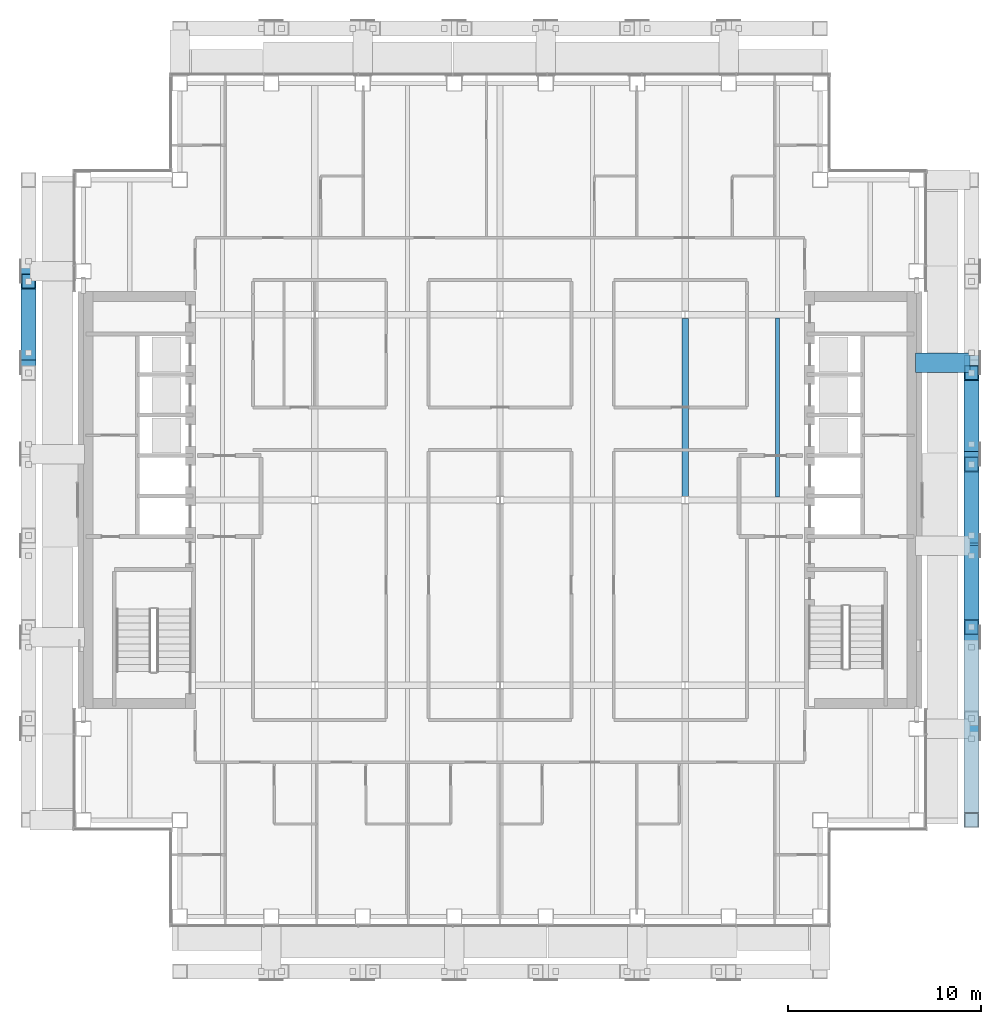
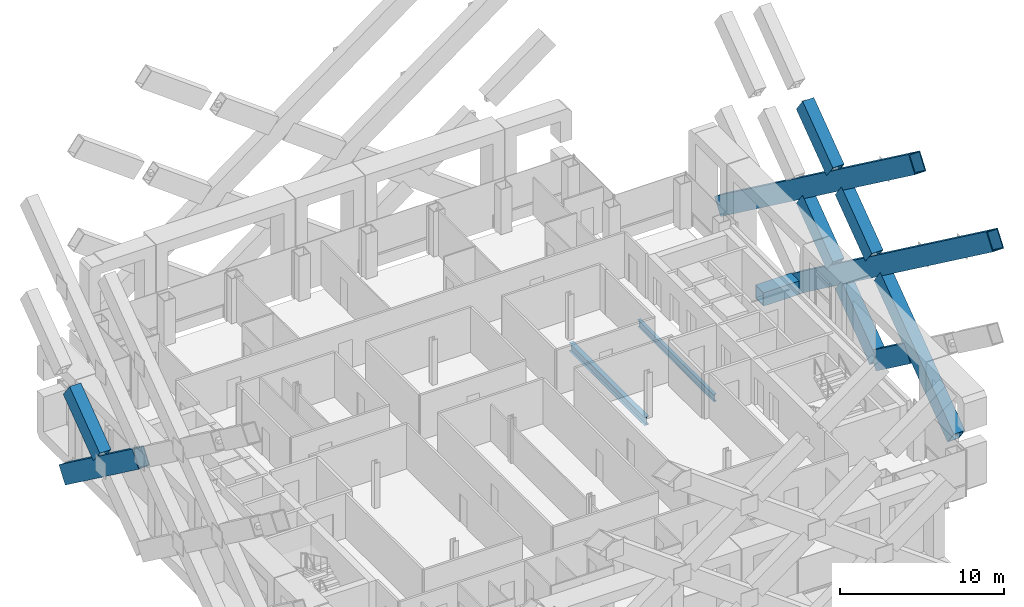
# One storey, part 7 of 25: 10 members, 3 beams.
"""IFC4 building model written with IfcOpenShell, lengths in metres."""

from ifc_helpers import new_model, si_unit, direction, frame, origin, origin_2d, place, context, subcontext, project, spatial, hollow_rectangle, i_section, extrude, material, material_profile, profile_set, type_object, element, save


model = new_model("IFC4")

# Units and contexts
model_context = context("Model", 3, precision=1e-05, world=origin(), true_north=direction((0.0, 1.0)))
body_context = subcontext(model_context, "Body", "Model", "MODEL_VIEW")
ifc_project = project(units=[si_unit("LENGTHUNIT", "METRE"), si_unit("AREAUNIT", "SQUARE_METRE"), si_unit("VOLUMEUNIT", "CUBIC_METRE"), si_unit("PLANEANGLEUNIT", "RADIAN"), si_unit("MASSUNIT", "GRAM", prefix="KILO")], contexts=[model_context])

# Site, building, storey
site_placement = place(None, origin())
site = spatial("IfcSite", under=ifc_project, at=site_placement, CompositionType="ELEMENT")
building_placement = place(site_placement, origin())
building = spatial("IfcBuilding", under=site, at=building_placement, Name="Cobrizo Arcos Hotel Tower", CompositionType="ELEMENT")
storey_placement = place(building_placement, frame((0.0, 0.0, 148.0)))
storey = spatial("IfcBuildingStorey", under=building, at=storey_placement, Name="L37", CompositionType="ELEMENT", Elevation=148.0)

# Beam
ifc_material_1 = material(Name="Steel ASTM A572 Grade 50", Category="steel")
ifc_material_profile_1 = material_profile(ifc_material_1, hollow_rectangle(XDim=1.0, YDim=1.0, WallThickness=0.06005859375, at=origin_2d()), Name="BOX 1000X1000X60")
ifc_profile_set_1 = profile_set([ifc_material_profile_1], Name="Steel ASTM A572 Grade 50")
beam_type_1 = type_object("IfcBeamType", Name="BOX 1000X1000X60 brace connector strut", PredefinedType="BEAM", material=ifc_profile_set_1)
beam_1_placement = place(storey_placement, frame((21.550048828125, 7.1142578125, 0.5), z_axis=(1.0, 0.0, 0.0), x_axis=(0.0, 1.0, 0.0)))
element("IfcBeam", 1, at=beam_1_placement, inside=storey, type_object=beam_type_1, Name="Perimeter brace stub BS1, zone Z3, east face, offset +7.11 m, L37", PredefinedType="BEAM", context=body_context, shape_type="SweptSolid", body=[
    extrude(hollow_rectangle(XDim=1.0, YDim=1.0, WallThickness=0.06005859375, at=origin_2d()), origin(), (0.0, 0.0, 1.0), 2.820068359375),
])

# Members
ifc_material_profile_2 = material_profile(ifc_material_1, hollow_rectangle(XDim=0.800048828125, YDim=1.300048828125, WallThickness=0.06005859375, at=origin_2d()), Name="BOX 800X1300X60")
ifc_profile_set_2 = profile_set([ifc_material_profile_2], Name="Steel ASTM A572 Grade 50")
member_type = type_object("IfcMemberType", Name="BOX 800X1300X60 perimeter brace", PredefinedType="BRACE", material=ifc_profile_set_2)
for number, where, z_axis, x_axis, name in (
    (2, (24.449951171875, 7.1142578125, 0.5), (0.0, -0.804630052623, 0.593776454918), (1.0, 0.0, 0.0), "Perimeter brace PBR3, zone Z3, east face, no. 03"),
    (3, (24.449951171875, 16.60009765625, 0.5), (0.0, -0.804630052623, 0.593776454918), (1.0, 0.0, 0.0), "Perimeter brace PBR3, zone Z3, east face, no. 05"),
):
    element("IfcMember", number, at=place(storey_placement, frame(where, z_axis=z_axis, x_axis=x_axis)), inside=storey, type_object=member_type, Name=name, PredefinedType="BRACE", context=body_context, shape_type="SweptSolid", body=[
        extrude(hollow_rectangle(XDim=0.800048828125, YDim=1.300048828125, WallThickness=0.06005859375, at=origin_2d()), origin(), (0.0, 0.0, 1.0), 29.472412109375),
    ])
member_1_placement = place(storey_placement, frame((24.449951171875, -11.857177734375, 0.5), z_axis=(0.0, 0.804628681962, 0.593778312305), x_axis=(-1.0, 0.0, 0.0)))
element("IfcMember", 4, at=member_1_placement, inside=storey, type_object=member_type, Name="Perimeter brace PBR3, zone Z3, east face, no. 00", PredefinedType="BRACE", context=body_context, shape_type="SweptSolid", body=[
    extrude(hollow_rectangle(XDim=0.800048828125, YDim=1.300048828125, WallThickness=0.06005859375, at=origin_2d()), origin(), (0.0, 0.0, 1.0), 11.138916015625),
])
member_2_placement = place(storey_placement, frame((24.449951171875, -1.84814453125, 7.885986328125), z_axis=(0.0, 0.804593425363, 0.593826085536), x_axis=(-1.0, 0.0, 0.0)))
element("IfcMember", 5, at=member_2_placement, inside=storey, type_object=member_type, Name="Perimeter brace PBR3, zone Z3, east face, no. 00b", PredefinedType="BRACE", context=body_context, shape_type="SweptSolid", body=[
    extrude(hollow_rectangle(XDim=0.800048828125, YDim=1.300048828125, WallThickness=0.06005859375, at=origin_2d()), origin(), (0.0, 0.0, 1.0), 4.593994140625),
])
member_3_placement = place(storey_placement, frame((24.449951171875, 2.89453125, 11.385986328125), z_axis=(0.0, 0.804612164142, 0.593800694943), x_axis=(-1.0, 0.0, 0.0)))
element("IfcMember", 6, at=member_3_placement, inside=storey, type_object=member_type, Name="Perimeter brace PBR3, zone Z3, east face, no. 00c", PredefinedType="BRACE", context=body_context, shape_type="SweptSolid", body=[
    extrude(hollow_rectangle(XDim=0.800048828125, YDim=1.300048828125, WallThickness=0.06005859375, at=origin_2d()), origin(), (0.0, 0.0, 1.0), 4.59423828125),
])
member_4_placement = place(storey_placement, frame((24.449951171875, -2.371337890625, 0.5), z_axis=(0.0, -0.804623858684, 0.593784848271), x_axis=(1.0, 0.0, 0.0)))
element("IfcMember", 7, at=member_4_placement, inside=storey, type_object=member_type, Name="Perimeter brace PBR3, zone Z3, east face, no. 01", PredefinedType="BRACE", context=body_context, shape_type="SweptSolid", body=[
    extrude(hollow_rectangle(XDim=0.800048828125, YDim=1.300048828125, WallThickness=0.06005859375, at=origin_2d()), origin(), (0.0, 0.0, 1.0), 5.244384765625),
])
member_5_placement = place(storey_placement, frame((24.449951171875, -2.371337890625, 0.5), z_axis=(0.0, 0.804607444048, 0.593807090715), x_axis=(-1.0, 0.0, 0.0)))
element("IfcMember", 8, at=member_5_placement, inside=storey, type_object=member_type, Name="Perimeter brace PBR3, zone Z3, east face, no. 02", PredefinedType="BRACE", context=body_context, shape_type="SweptSolid", body=[
    extrude(hollow_rectangle(XDim=0.800048828125, YDim=1.300048828125, WallThickness=0.06005859375, at=origin_2d()), origin(), (0.0, 0.0, 1.0), 5.244140625),
])
member_6_placement = place(storey_placement, frame((24.449951171875, 2.89453125, 4.385986328125), z_axis=(0.0, 0.804612164142, 0.593800694943), x_axis=(-1.0, 0.0, 0.0)))
element("IfcMember", 9, at=member_6_placement, inside=storey, type_object=member_type, Name="Perimeter brace PBR3, zone Z3, east face, no. 02b", PredefinedType="BRACE", context=body_context, shape_type="SweptSolid", body=[
    extrude(hollow_rectangle(XDim=0.800048828125, YDim=1.300048828125, WallThickness=0.06005859375, at=origin_2d()), origin(), (0.0, 0.0, 1.0), 4.59423828125),
])
member_7_placement = place(storey_placement, frame((-24.449951171875, 11.857177734375, 0.5), z_axis=(0.0, -0.804628681962, 0.593778312305), x_axis=(1.0, 0.0, 0.0)))
element("IfcMember", 10, at=member_7_placement, inside=storey, type_object=member_type, Name="Perimeter brace PBR3, zone Z3, west face, no. 00", PredefinedType="BRACE", context=body_context, shape_type="SweptSolid", body=[
    extrude(hollow_rectangle(XDim=0.800048828125, YDim=1.300048828125, WallThickness=0.06005859375, at=origin_2d()), origin(), (0.0, 0.0, 1.0), 11.138916015625),
])
member_8_placement = place(storey_placement, frame((-24.449951171875, 7.637451171875, 4.385986328125), z_axis=(0.0, 0.804612164142, 0.593800694943), x_axis=(-1.0, 0.0, 0.0)))
element("IfcMember", 11, at=member_8_placement, inside=storey, type_object=member_type, Name="Perimeter brace PBR3, zone Z3, west face, no. 01b", PredefinedType="BRACE", context=body_context, shape_type="SweptSolid", body=[
    extrude(hollow_rectangle(XDim=0.800048828125, YDim=1.300048828125, WallThickness=0.06005859375, at=origin_2d()), origin(), (0.0, 0.0, 1.0), 4.59423828125),
])

# Beams
ifc_material_2 = material(Name="Steel ASTM A992 Grade 50", Category="steel")
ifc_material_profile_3 = material_profile(ifc_material_2, i_section(OverallWidth=0.209228515625, OverallDepth=0.533447265625, WebThickness=0.01025390625, FlangeThickness=0.015625, at=origin_2d()), Name="W21X62")
ifc_profile_set_3 = profile_set([ifc_material_profile_3], Name="Steel ASTM A992 Grade 50")
beam_type_2 = type_object("IfcBeamType", Name="W21X62 joist", PredefinedType="JOIST", material=ifc_profile_set_3)
beam_2_placement = place(storey_placement, frame((14.39990234375, 0.163818359375, -0.416748046875), z_axis=(0.0, 1.0, 0.0), x_axis=(-1.0, 0.0, 0.0)))
element("IfcBeam", 12, at=beam_2_placement, inside=storey, type_object=beam_type_2, Name="Floor joist J1, L37, no. 017", PredefinedType="JOIST", context=body_context, shape_type="SweptSolid", body=[
    extrude(i_section(OverallWidth=0.209228515625, OverallDepth=0.533447265625, WebThickness=0.01025390625, FlangeThickness=0.015625, at=origin_2d()), origin(), (0.0, 0.0, 1.0), 9.272216796875),
])
ifc_material_profile_4 = material_profile(ifc_material_2, i_section(OverallWidth=0.32763671875, OverallDepth=0.622314453125, WebThickness=0.015380859375, FlangeThickness=0.0244140625, at=origin_2d()), Name="W24X131")
ifc_profile_set_4 = profile_set([ifc_material_profile_4], Name="Steel ASTM A992 Grade 50")
beam_type_3 = type_object("IfcBeamType", Name="W24X131 girder", PredefinedType="BEAM", material=ifc_profile_set_4)
beam_3_placement = place(storey_placement, frame((9.60009765625, 0.186767578125, -0.461181640625), z_axis=(0.0, 1.0, 0.0), x_axis=(-1.0, 0.0, 0.0)))
element("IfcBeam", 13, at=beam_3_placement, inside=storey, type_object=beam_type_3, Name="Floor girder G1, L37, no. 023", PredefinedType="BEAM", context=body_context, shape_type="SweptSolid", body=[
    extrude(i_section(OverallWidth=0.32763671875, OverallDepth=0.622314453125, WebThickness=0.015380859375, FlangeThickness=0.0244140625, at=origin_2d()), origin(), (0.0, 0.0, 1.0), 9.2265625),
])

save(model, "model.ifc")
